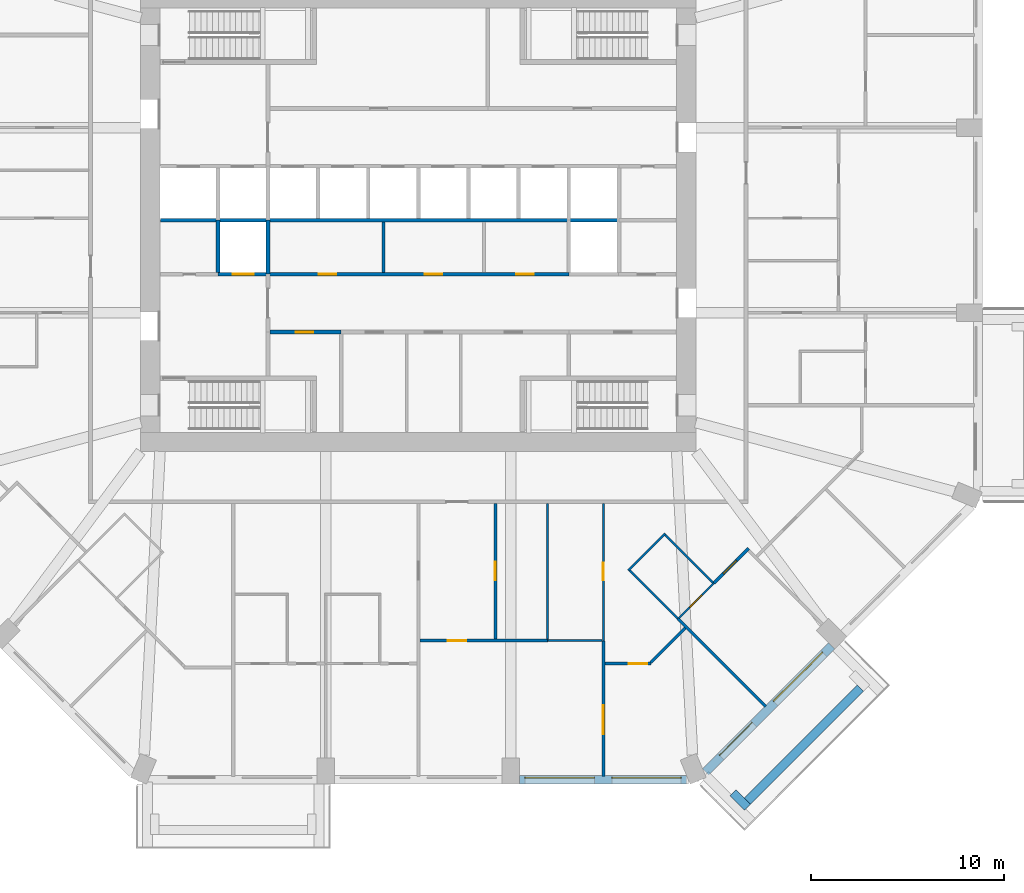
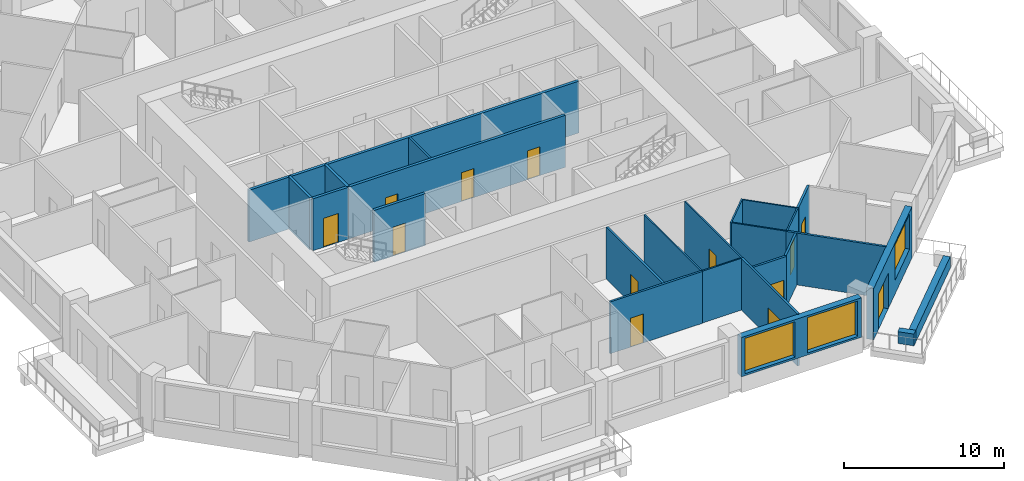
# One storey, part 5 of 13: 25 walls, 13 doors, 3 windows, 16 openings.
"""IFC4 building model written with IfcOpenShell, lengths in metres."""

from ifc_helpers import new_model, si_unit, direction, frame, frame_2d, origin, place, context, subcontext, project, spatial, rectangle, extrude, material, layer, layer_set, type_object, element, fill, save


model = new_model("IFC4")

# Units and contexts
model_context = context("Model", 3, precision=1e-05, world=origin(), true_north=direction((0.0, 1.0)))
body_context = subcontext(model_context, "Body", "Model", "MODEL_VIEW")
ifc_project = project(units=[si_unit("LENGTHUNIT", "METRE"), si_unit("AREAUNIT", "SQUARE_METRE"), si_unit("VOLUMEUNIT", "CUBIC_METRE"), si_unit("PLANEANGLEUNIT", "RADIAN"), si_unit("MASSUNIT", "GRAM", prefix="KILO")], contexts=[model_context])

# Site, building, storey
site_placement = place(None, origin())
site = spatial("IfcSite", under=ifc_project, at=site_placement, CompositionType="ELEMENT")
building_placement = place(site_placement, origin())
building = spatial("IfcBuilding", under=site, at=building_placement, Name="Msitu Wima Residences", CompositionType="ELEMENT")
storey_placement = place(building_placement, frame((0.0, 0.0, 50.699951171875)))
storey = spatial("IfcBuildingStorey", under=building, at=storey_placement, Name="L11", CompositionType="ELEMENT", Elevation=50.699951171875)

# Walls
ifc_material_1 = material(Name="Facing brick")
ifc_layer_1 = layer(ifc_material_1, 0.06494140625, Name="Facing brick")
ifc_material_2 = material(Name="Concrete C40/50", Category="concrete")
ifc_layer_2 = layer(ifc_material_2, 0.156005859375, Name="Concrete C40/50")
ifc_material_3 = material(Name="Waterproofing membrane")
ifc_layer_3 = layer(ifc_material_3, 0.00390625, Name="Waterproofing membrane")
ifc_material_4 = material(Name="Planting soil and planting")
ifc_layer_4 = layer(ifc_material_4, 0.22509765625, Name="Planting soil and planting")
ifc_layer_set_1 = layer_set([ifc_layer_1, ifc_layer_2, ifc_layer_3, ifc_layer_4], Name="Concrete C40/50")
wall_type_1 = type_object("IfcWallType", Name="Balcony planter PLANTER PL450", PredefinedType="USERDEFINED", material=ifc_layer_set_1)
wall_1_placement = place(storey_placement, frame((17.0693359375, -30.125732421875, 0.0), z_axis=(0.0, 0.0, 1.0), x_axis=(0.707106781187, 0.707106781187, 0.0)))
element("IfcWall", 1, at=wall_1_placement, inside=storey, type_object=wall_type_1, Name="Balcony planter SE0 L11", ObjectType="PLANTER", PredefinedType="USERDEFINED", context=body_context, shape_type="SweptSolid", body=[
    extrude(rectangle(XDim=8.2822265625, YDim=0.449951171875, at=frame_2d((4.14111328125, 0.0))), origin(), (0.0, 0.0, 1.0), 0.900146484375),
])
wall_2_placement = place(storey_placement, frame((16.326904296875, -29.70166015625, 0.0), z_axis=(0.0, 0.0, 1.0), x_axis=(0.707106781187, -0.707106781187, 0.0)))
element("IfcWall", 2, at=wall_2_placement, inside=storey, type_object=wall_type_1, Name="Balcony planter SE0 L11", ObjectType="PLANTER", PredefinedType="USERDEFINED", context=body_context, shape_type="SweptSolid", body=[
    extrude(rectangle(XDim=1.050048828125, YDim=0.449951171875, at=frame_2d((0.52490234375, 0.0))), origin(), (0.0, 0.0, 1.0), 0.900146484375),
])

# Wall, openings, windows
ifc_material_5 = material(Name="Brick (red buff mix)", Category="masonry")
ifc_layer_5 = layer(ifc_material_5, 0.449951171875)
ifc_layer_set_2 = layer_set([ifc_layer_5], Name="Brick (red buff mix)")
wall_type_2 = type_object("IfcWallType", Name="Brick infill wall BW450", PredefinedType="SOLIDWALL", material=ifc_layer_set_2)
wall_3_placement = place(storey_placement, frame((5.25, -29.02490234375, 0.900146484375), z_axis=(0.0, 0.0, 1.0), x_axis=(1.0, 0.0, 0.0)))
wall_3 = element("IfcWall", 3, at=wall_3_placement, inside=storey, type_object=wall_type_2, Name="Brick infill wall L11 S2", PredefinedType="SOLIDWALL", context=body_context, shape_type="SweptSolid", body=[
    extrude(rectangle(XDim=8.662841796875, YDim=0.449951171875, at=frame_2d((4.33154296875, 0.0))), origin(), (0.0, 0.0, 1.0), 3.0),
])
opening_1_placement = place(wall_3_placement, frame((0.281494140625, 0.0, 0.14990234375)))
opening_1 = element("IfcOpeningElement", 4, at=opening_1_placement, cuts=wall_3, Name="Opening W11-12.020", PredefinedType="OPENING", context=body_context, shape_type="SweptSolid", body=[
    extrude(rectangle(XDim=3.60009765625, YDim=2.699951171875, at=frame_2d((1.800048828125, 1.35009765625))), frame((0.0, 0.23486328125, 0.0), z_axis=(0.0, -1.0, 0.0), x_axis=(1.0, 0.0, 0.0)), (0.0, 0.0, 1.0), 0.469970703125),
])
opening_2_placement = place(wall_3_placement, frame((4.781494140625, 0.0, 0.14990234375)))
opening_2 = element("IfcOpeningElement", 5, at=opening_2_placement, cuts=wall_3, Name="Opening W11-12.021", PredefinedType="OPENING", context=body_context, shape_type="SweptSolid", body=[
    extrude(rectangle(XDim=3.60009765625, YDim=2.699951171875, at=frame_2d((1.800048828125, 1.35009765625))), frame((0.0, 0.23486328125, 0.0), z_axis=(0.0, -1.0, 0.0), x_axis=(1.0, 0.0, 0.0)), (0.0, 0.0, 1.0), 0.469970703125),
])
ifc_material_6 = material(Name="Anodised aluminium, bronze finish, clear low-emissivity double glazing", Category="aluminium")
window_type = type_object("IfcWindowType", Name="Window W3600x2700", PartitioningType="DOUBLE_PANEL_VERTICAL", PredefinedType="WINDOW", material=ifc_material_6)
window_1_placement = place(opening_1_placement, origin())
window_1 = element("IfcWindow", 6, at=window_1_placement, inside=storey, type_object=window_type, Name="Window L11 S2.1", OverallHeight=2.699951171875, OverallWidth=3.60009765625, PartitioningType="SINGLE_PANEL", PredefinedType="WINDOW", context=body_context, shape_type="SweptSolid", body=[
    extrude(rectangle(XDim=3.60009765625, YDim=2.699951171875, at=frame_2d((1.800048828125, 1.35009765625))), frame((0.0, 0.135009765625, 0.0), z_axis=(0.0, -1.0, 0.0), x_axis=(1.0, 0.0, 0.0)), (0.0, 0.0, 1.0), 0.06005859375),
])
fill(opening_1, window_1)
window_2_placement = place(opening_2_placement, origin())
window_2 = element("IfcWindow", 7, at=window_2_placement, inside=storey, type_object=window_type, Name="Window L11 S2.2", OverallHeight=2.699951171875, OverallWidth=3.60009765625, PartitioningType="SINGLE_PANEL", PredefinedType="WINDOW", context=body_context, shape_type="SweptSolid", body=[
    extrude(rectangle(XDim=3.60009765625, YDim=2.699951171875, at=frame_2d((1.800048828125, 1.35009765625))), frame((0.0, 0.135009765625, 0.0), z_axis=(0.0, -1.0, 0.0), x_axis=(1.0, 0.0, 0.0)), (0.0, 0.0, 1.0), 0.06005859375),
])
fill(opening_2, window_2)

# Wall, openings, door, window
wall_4_placement = place(storey_placement, frame((14.903564453125, -28.61474609375, 0.0), z_axis=(0.0, 0.0, 1.0), x_axis=(0.707106781187, 0.707106781187, 0.0)))
wall_4 = element("IfcWall", 8, at=wall_4_placement, inside=storey, type_object=wall_type_2, Name="Brick infill wall L11 SE0", PredefinedType="SOLIDWALL", context=body_context, shape_type="SweptSolid", body=[
    extrude(rectangle(XDim=9.2451171875, YDim=0.449951171875, at=frame_2d((4.62255859375, 0.0))), origin(), (0.0, 0.0, 1.0), 3.900146484375),
])
opening_3_placement = place(wall_4_placement, frame((1.111328125, 0.0, 0.0)))
opening_3 = element("IfcOpeningElement", 9, at=opening_3_placement, cuts=wall_4, Name="Opening D11-12.006", PredefinedType="OPENING", context=body_context, shape_type="SweptSolid", body=[
    extrude(rectangle(XDim=2.39990234375, YDim=2.699951171875, at=frame_2d((1.199951171875, 1.35009765625))), frame((0.0, 0.23486328125, 0.0), z_axis=(0.0, -1.0, 0.0), x_axis=(1.0, 0.0, 0.0)), (0.0, 0.0, 1.0), 0.469970703125),
])
opening_4_placement = place(wall_4_placement, frame((5.072509765625, 0.0, 1.050048828125)))
opening_4 = element("IfcOpeningElement", 10, at=opening_4_placement, cuts=wall_4, Name="Opening W11-12.022", PredefinedType="OPENING", context=body_context, shape_type="SweptSolid", body=[
    extrude(rectangle(XDim=3.60009765625, YDim=2.699951171875, at=frame_2d((1.800048828125, 1.35009765625))), frame((0.0, 0.23486328125, 0.0), z_axis=(0.0, -1.0, 0.0), x_axis=(1.0, 0.0, 0.0)), (0.0, 0.0, 1.0), 0.469970703125),
])
door_type_1 = type_object("IfcDoorType", Name="Balcony door D2400x2700", OperationType="SLIDING_TO_LEFT", PredefinedType="DOOR", material=ifc_material_6)
door_1_placement = place(opening_3_placement, origin())
door_1 = element("IfcDoor", 11, at=door_1_placement, inside=storey, type_object=door_type_1, Name="Balcony door L11 SE0", OperationType="SINGLE_SWING_LEFT", OverallHeight=2.699951171875, OverallWidth=2.39990234375, PredefinedType="DOOR", context=body_context, shape_type="SweptSolid", body=[
    extrude(rectangle(XDim=2.39990234375, YDim=2.699951171875, at=frame_2d((1.199951171875, 1.35009765625))), frame((0.0, 0.1298828125, 0.0), z_axis=(0.0, -1.0, 0.0), x_axis=(1.0, 0.0, 0.0)), (0.0, 0.0, 1.0), 0.050048828125),
])
fill(opening_3, door_1)
window_3_placement = place(opening_4_placement, origin())
window_3 = element("IfcWindow", 12, at=window_3_placement, inside=storey, type_object=window_type, Name="Window L11 SE0.2", OverallHeight=2.699951171875, OverallWidth=3.60009765625, PartitioningType="SINGLE_PANEL", PredefinedType="WINDOW", context=body_context, shape_type="SweptSolid", body=[
    extrude(rectangle(XDim=3.60009765625, YDim=2.699951171875, at=frame_2d((1.800048828125, 1.35009765625))), frame((0.0, 0.135009765625, 0.0), z_axis=(0.0, -1.0, 0.0), x_axis=(1.0, 0.0, 0.0)), (0.0, 0.0, 1.0), 0.06005859375),
])
fill(opening_4, window_3)

# Wall, openings, doors
ifc_material_7 = material(Name="Plaster")
ifc_layer_6 = layer(ifc_material_7, 0.011962890625, Name="Plaster")
ifc_material_8 = material(Name="Concrete blockwork", Category="masonry")
ifc_layer_7 = layer(ifc_material_8, 0.176025390625, Name="Concrete blockwork")
ifc_layer_8 = layer(ifc_material_7, 0.011962890625, Name="Plaster")
ifc_layer_set_3 = layer_set([ifc_layer_6, ifc_layer_7, ifc_layer_8], Name="Concrete blockwork")
wall_type_3 = type_object("IfcWallType", Name="Corridor wall FW200", PredefinedType="PARTITIONING", material=ifc_layer_set_3)
wall_5_placement = place(storey_placement, frame((-7.820068359375, -2.800048828125, 0.0), z_axis=(0.0, 0.0, 1.0), x_axis=(1.0, 0.0, 0.0)))
wall_5 = element("IfcWall", 13, at=wall_5_placement, inside=storey, type_object=wall_type_3, Name="Corridor wall", PredefinedType="PARTITIONING", context=body_context, shape_type="SweptSolid", body=[
    extrude(rectangle(XDim=15.64013671875, YDim=0.199951171875, at=frame_2d((7.820068359375, 0.0))), origin(), (0.0, 0.0, 1.0), 3.949951171875),
])
opening_5_placement = place(wall_5_placement, frame((2.64990234375, 0.0, 0.0)))
opening_5 = element("IfcOpeningElement", 14, at=opening_5_placement, cuts=wall_5, Name="Opening D11-12.028", PredefinedType="OPENING", context=body_context, shape_type="SweptSolid", body=[
    extrude(rectangle(XDim=0.89990234375, YDim=2.199951171875, at=frame_2d((0.449951171875, 1.10009765625))), frame((0.0, 0.10986328125, 0.0), z_axis=(0.0, -1.0, 0.0), x_axis=(1.0, 0.0, 0.0)), (0.0, 0.0, 1.0), 0.219970703125),
])
opening_6_placement = place(wall_5_placement, frame((8.14990234375, 0.0, 0.0)))
opening_6 = element("IfcOpeningElement", 15, at=opening_6_placement, cuts=wall_5, Name="Opening D11-12.029", PredefinedType="OPENING", context=body_context, shape_type="SweptSolid", body=[
    extrude(rectangle(XDim=0.89990234375, YDim=2.199951171875, at=frame_2d((0.449951171875, 1.10009765625))), frame((0.0, 0.10986328125, 0.0), z_axis=(0.0, -1.0, 0.0), x_axis=(1.0, 0.0, 0.0)), (0.0, 0.0, 1.0), 0.219970703125),
])
opening_7_placement = place(wall_5_placement, frame((12.89990234375, 0.0, 0.0)))
opening_7 = element("IfcOpeningElement", 16, at=opening_7_placement, cuts=wall_5, Name="Opening D11-12.030", PredefinedType="OPENING", context=body_context, shape_type="SweptSolid", body=[
    extrude(rectangle(XDim=0.89990234375, YDim=2.199951171875, at=frame_2d((0.449951171875, 1.10009765625))), frame((0.0, 0.10986328125, 0.0), z_axis=(0.0, -1.0, 0.0), x_axis=(1.0, 0.0, 0.0)), (0.0, 0.0, 1.0), 0.219970703125),
])
ifc_material_9 = material(Name="Timber flush door", Category="wood")
door_type_2 = type_object("IfcDoorType", Name="Service door D05 900x2200", OperationType="SINGLE_SWING_LEFT", PredefinedType="DOOR", material=ifc_material_9)
door_2_placement = place(opening_5_placement, origin())
door_2 = element("IfcDoor", 17, at=door_2_placement, inside=storey, type_object=door_type_2, Name="Service door", OperationType="SINGLE_SWING_RIGHT", OverallHeight=2.199951171875, OverallWidth=0.89990234375, PredefinedType="DOOR", context=body_context, shape_type="SweptSolid", body=[
    extrude(rectangle(XDim=0.89990234375, YDim=2.199951171875, at=frame_2d((0.449951171875, 1.10009765625))), frame((0.0, 0.02490234375, 0.0), z_axis=(0.0, -1.0, 0.0), x_axis=(1.0, 0.0, 0.0)), (0.0, 0.0, 1.0), 0.050048828125),
])
fill(opening_5, door_2)
door_3_placement = place(opening_6_placement, origin())
door_3 = element("IfcDoor", 18, at=door_3_placement, inside=storey, type_object=door_type_2, Name="Service door", OperationType="SINGLE_SWING_LEFT", OverallHeight=2.199951171875, OverallWidth=0.89990234375, PredefinedType="DOOR", context=body_context, shape_type="SweptSolid", body=[
    extrude(rectangle(XDim=0.89990234375, YDim=2.199951171875, at=frame_2d((0.449951171875, 1.10009765625))), frame((0.0, 0.02490234375, 0.0), z_axis=(0.0, -1.0, 0.0), x_axis=(1.0, 0.0, 0.0)), (0.0, 0.0, 1.0), 0.050048828125),
])
fill(opening_6, door_3)
door_4_placement = place(opening_7_placement, origin())
door_4 = element("IfcDoor", 19, at=door_4_placement, inside=storey, type_object=door_type_2, Name="Service door", OperationType="SINGLE_SWING_LEFT", OverallHeight=2.199951171875, OverallWidth=0.89990234375, PredefinedType="DOOR", context=body_context, shape_type="SweptSolid", body=[
    extrude(rectangle(XDim=0.89990234375, YDim=2.199951171875, at=frame_2d((0.449951171875, 1.10009765625))), frame((0.0, 0.02490234375, 0.0), z_axis=(0.0, -1.0, 0.0), x_axis=(1.0, 0.0, 0.0)), (0.0, 0.0, 1.0), 0.050048828125),
])
fill(opening_7, door_4)

# Wall
ifc_layer_9 = layer(ifc_material_7, 0.011962890625, Name="Plaster")
ifc_layer_10 = layer(ifc_material_8, 0.1259765625, Name="Concrete blockwork")
ifc_layer_11 = layer(ifc_material_7, 0.011962890625, Name="Plaster")
ifc_layer_set_4 = layer_set([ifc_layer_9, ifc_layer_10, ifc_layer_11], Name="Concrete blockwork")
wall_type_4 = type_object("IfcWallType", Name="Partition PW150", PredefinedType="PARTITIONING", material=ifc_layer_set_4)
wall_6_placement = place(storey_placement, frame((-1.800048828125, -2.699951171875, 0.0), z_axis=(0.0, 0.0, 1.0), x_axis=(0.0, 1.0, 0.0)))
element("IfcWall", 20, at=wall_6_placement, inside=storey, type_object=wall_type_4, Name="Partition", PredefinedType="PARTITIONING", context=body_context, shape_type="SweptSolid", body=[
    extrude(rectangle(XDim=2.599853515625, YDim=0.14990234375, at=frame_2d((1.2998046875, 0.0))), origin(), (0.0, 0.0, 1.0), 3.949951171875),
])

# Wall, opening, door
wall_7_placement = place(storey_placement, frame((0.074951171875, -21.800048828125, 0.0), z_axis=(0.0, 0.0, 1.0), x_axis=(1.0, 0.0, 0.0)))
wall_7 = element("IfcWall", 21, at=wall_7_placement, inside=storey, type_object=wall_type_4, Name="Partition", PredefinedType="PARTITIONING", context=body_context, shape_type="SweptSolid", body=[
    extrude(rectangle(XDim=6.64501953125, YDim=0.14990234375, at=frame_2d((3.322509765625, 0.0))), origin(), (0.0, 0.0, 1.0), 3.949951171875),
])
opening_8_placement = place(wall_7_placement, frame((1.449951171875, 0.0, 0.0)))
opening_8 = element("IfcOpeningElement", 22, at=opening_8_placement, cuts=wall_7, Name="Opening D11-12.073", PredefinedType="OPENING", context=body_context, shape_type="SweptSolid", body=[
    extrude(rectangle(XDim=0.949951171875, YDim=2.199951171875, at=frame_2d((0.47509765625, 1.10009765625))), frame((0.0, 0.0849609375, 0.0), z_axis=(0.0, -1.0, 0.0), x_axis=(1.0, 0.0, 0.0)), (0.0, 0.0, 1.0), 0.169921875),
])
door_type_3 = type_object("IfcDoorType", Name="Room door D12 950x2200", OperationType="SINGLE_SWING_LEFT", PredefinedType="DOOR", material=ifc_material_9)
door_5_placement = place(opening_8_placement, origin())
door_5 = element("IfcDoor", 23, at=door_5_placement, inside=storey, type_object=door_type_3, Name="Room door", OperationType="SINGLE_SWING_RIGHT", OverallHeight=2.199951171875, OverallWidth=0.949951171875, PredefinedType="DOOR", context=body_context, shape_type="SweptSolid", body=[
    extrude(rectangle(XDim=0.949951171875, YDim=2.199951171875, at=frame_2d((0.47509765625, 1.10009765625))), frame((0.0, 0.02490234375, 0.0), z_axis=(0.0, -1.0, 0.0), x_axis=(1.0, 0.0, 0.0)), (0.0, 0.0, 1.0), 0.050048828125),
])
fill(opening_8, door_5)

wall_8_placement = place(storey_placement, frame((4.0, -21.72509765625, 0.0), z_axis=(0.0, 0.0, 1.0), x_axis=(0.0, 1.0, 0.0)))
wall_8 = element("IfcWall", 24, at=wall_8_placement, inside=storey, type_object=wall_type_4, Name="Partition", PredefinedType="PARTITIONING", context=body_context, shape_type="SweptSolid", body=[
    extrude(rectangle(XDim=7.025146484375, YDim=0.14990234375, at=frame_2d((3.5126953125, 0.0))), origin(), (0.0, 0.0, 1.0), 3.949951171875),
])
opening_9_placement = place(wall_8_placement, frame((3.050048828125, 0.0, 0.0)))
opening_9 = element("IfcOpeningElement", 25, at=opening_9_placement, cuts=wall_8, Name="Opening D11-12.078", PredefinedType="OPENING", context=body_context, shape_type="SweptSolid", body=[
    extrude(rectangle(XDim=0.949951171875, YDim=2.199951171875, at=frame_2d((0.47509765625, 1.10009765625))), frame((0.0, 0.0849609375, 0.0), z_axis=(0.0, -1.0, 0.0), x_axis=(1.0, 0.0, 0.0)), (0.0, 0.0, 1.0), 0.169921875),
])
door_6_placement = place(opening_9_placement, origin())
door_6 = element("IfcDoor", 26, at=door_6_placement, inside=storey, type_object=door_type_3, Name="Room door", OperationType="SINGLE_SWING_LEFT", OverallHeight=2.199951171875, OverallWidth=0.949951171875, PredefinedType="DOOR", context=body_context, shape_type="SweptSolid", body=[
    extrude(rectangle(XDim=0.949951171875, YDim=2.199951171875, at=frame_2d((0.47509765625, 1.10009765625))), frame((0.0, 0.02490234375, 0.0), z_axis=(0.0, -1.0, 0.0), x_axis=(1.0, 0.0, 0.0)), (0.0, 0.0, 1.0), 0.050048828125),
])
fill(opening_9, door_6)

wall_9_placement = place(storey_placement, frame((9.60009765625, -28.85498046875, 0.0), z_axis=(0.0, 0.0, 1.0), x_axis=(0.0, 1.0, 0.0)))
wall_9 = element("IfcWall", 27, at=wall_9_placement, inside=storey, type_object=wall_type_4, Name="Partition", PredefinedType="PARTITIONING", context=body_context, shape_type="SweptSolid", body=[
    extrude(rectangle(XDim=7.034912109375, YDim=0.14990234375, at=frame_2d((3.517578125, 0.0))), origin(), (0.0, 0.0, 1.0), 3.949951171875),
])
opening_10_placement = place(wall_9_placement, frame((2.199951171875, 0.0, 0.0)))
opening_10 = element("IfcOpeningElement", 28, at=opening_10_placement, cuts=wall_9, Name="Opening D11-12.079", PredefinedType="OPENING", context=body_context, shape_type="SweptSolid", body=[
    extrude(rectangle(XDim=1.5, YDim=2.199951171875, at=frame_2d((0.75, 1.10009765625))), frame((0.0, 0.0849609375, 0.0), z_axis=(0.0, -1.0, 0.0), x_axis=(1.0, 0.0, 0.0)), (0.0, 0.0, 1.0), 0.169921875),
])
ifc_material_10 = material(Name="Timber double door", Category="wood")
door_type_4 = type_object("IfcDoorType", Name="Double door D04 1500x2200", OperationType="DOUBLE_DOOR_SINGLE_SWING", PredefinedType="DOOR", material=ifc_material_10)
door_7_placement = place(opening_10_placement, origin())
door_7 = element("IfcDoor", 29, at=door_7_placement, inside=storey, type_object=door_type_4, Name="Double door", OperationType="DOUBLE_DOOR_SINGLE_SWING", OverallHeight=2.199951171875, OverallWidth=1.5, PredefinedType="DOOR", context=body_context, shape_type="SweptSolid", body=[
    extrude(rectangle(XDim=1.5, YDim=2.199951171875, at=frame_2d((0.75, 1.10009765625))), frame((0.0, 0.02490234375, 0.0), z_axis=(0.0, -1.0, 0.0), x_axis=(1.0, 0.0, 0.0)), (0.0, 0.0, 1.0), 0.050048828125),
])
fill(opening_10, door_7)

wall_10_placement = place(storey_placement, frame((9.675048828125, -23.0, 0.0), z_axis=(0.0, 0.0, 1.0), x_axis=(1.0, 0.0, 0.0)))
wall_10 = element("IfcWall", 30, at=wall_10_placement, inside=storey, type_object=wall_type_4, Name="Partition", PredefinedType="PARTITIONING", context=body_context, shape_type="SweptSolid", body=[
    extrude(rectangle(XDim=2.3974609375, YDim=0.14990234375, at=frame_2d((1.19873046875, 0.0))), origin(), (0.0, 0.0, 1.0), 3.949951171875),
])
opening_11_placement = place(wall_10_placement, frame((1.25, 0.0, 0.0)))
opening_11 = element("IfcOpeningElement", 31, at=opening_11_placement, cuts=wall_10, Name="Opening D11-12.080", PredefinedType="OPENING", context=body_context, shape_type="SweptSolid", body=[
    extrude(rectangle(XDim=0.949951171875, YDim=2.199951171875, at=frame_2d((0.47509765625, 1.10009765625))), frame((0.0, 0.0849609375, 0.0), z_axis=(0.0, -1.0, 0.0), x_axis=(1.0, 0.0, 0.0)), (0.0, 0.0, 1.0), 0.169921875),
])
door_8_placement = place(opening_11_placement, origin())
door_8 = element("IfcDoor", 32, at=door_8_placement, inside=storey, type_object=door_type_3, Name="Room door", OperationType="SINGLE_SWING_RIGHT", OverallHeight=2.199951171875, OverallWidth=0.949951171875, PredefinedType="DOOR", context=body_context, shape_type="SweptSolid", body=[
    extrude(rectangle(XDim=0.949951171875, YDim=2.199951171875, at=frame_2d((0.47509765625, 1.10009765625))), frame((0.0, 0.02490234375, 0.0), z_axis=(0.0, -1.0, 0.0), x_axis=(1.0, 0.0, 0.0)), (0.0, 0.0, 1.0), 0.050048828125),
])
fill(opening_11, door_8)

# Walls
wall_11_placement = place(storey_placement, frame((12.050537109375, -22.947021484375, 0.0), z_axis=(0.0, 0.0, 1.0), x_axis=(0.707106781187, 0.707106781187, 0.0)))
element("IfcWall", 33, at=wall_11_placement, inside=storey, type_object=wall_type_4, Name="Partition", PredefinedType="PARTITIONING", context=body_context, shape_type="SweptSolid", body=[
    extrude(rectangle(XDim=2.538818359375, YDim=0.14990234375, at=frame_2d((1.26953125, 0.0))), origin(), (0.0, 0.0, 1.0), 3.949951171875),
])
wall_12_placement = place(storey_placement, frame((13.46044921875, -20.660400390625, 0.0), z_axis=(0.0, 0.0, 1.0), x_axis=(0.707087840404, -0.707125721462, 0.0)))
element("IfcWall", 34, at=wall_12_placement, inside=storey, type_object=wall_type_4, Name="Partition", PredefinedType="PARTITIONING", context=body_context, shape_type="SweptSolid", body=[
    extrude(rectangle(XDim=6.44482421875, YDim=0.14990234375, at=frame_2d((3.222412109375, 0.0))), origin(), (0.0, 0.0, 1.0), 3.949951171875),
])

# Wall, opening, door
wall_13_placement = place(storey_placement, frame((15.3271484375, -18.82177734375, 0.0), z_axis=(0.0, 0.0, 1.0), x_axis=(0.707106781187, 0.707106781187, 0.0)))
wall_13 = element("IfcWall", 35, at=wall_13_placement, inside=storey, type_object=wall_type_4, Name="Partition", PredefinedType="PARTITIONING", context=body_context, shape_type="SweptSolid", body=[
    extrude(rectangle(XDim=2.5458984375, YDim=0.14990234375, at=frame_2d((1.27294921875, 0.0))), origin(), (0.0, 0.0, 1.0), 3.949951171875),
])
opening_12_placement = place(wall_13_placement, frame((0.699951171875, 0.0, 0.0)))
opening_12 = element("IfcOpeningElement", 36, at=opening_12_placement, cuts=wall_13, Name="Opening D11-12.083", PredefinedType="OPENING", context=body_context, shape_type="SweptSolid", body=[
    extrude(rectangle(XDim=0.949951171875, YDim=2.199951171875, at=frame_2d((0.47509765625, 1.10009765625))), frame((0.0, 0.0849609375, 0.0), z_axis=(0.0, -1.0, 0.0), x_axis=(1.0, 0.0, 0.0)), (0.0, 0.0, 1.0), 0.169921875),
])
door_9_placement = place(opening_12_placement, origin())
door_9 = element("IfcDoor", 37, at=door_9_placement, inside=storey, type_object=door_type_3, Name="Room door", OperationType="SINGLE_SWING_LEFT", OverallHeight=2.199951171875, OverallWidth=0.949951171875, PredefinedType="DOOR", context=body_context, shape_type="SweptSolid", body=[
    extrude(rectangle(XDim=0.949951171875, YDim=2.199951171875, at=frame_2d((0.47509765625, 1.10009765625))), frame((0.0, 0.02490234375, 0.0), z_axis=(0.0, -1.0, 0.0), x_axis=(1.0, 0.0, 0.0)), (0.0, 0.0, 1.0), 0.050048828125),
])
fill(opening_12, door_9)

ifc_layer_12 = layer(ifc_material_7, 0.011962890625, Name="Plaster")
ifc_material_11 = material(Name="Reinforced concrete blockwork", Category="masonry")
ifc_layer_13 = layer(ifc_material_11, 0.176025390625, Name="Reinforced concrete blockwork")
ifc_layer_14 = layer(ifc_material_7, 0.011962890625, Name="Plaster")
ifc_layer_set_5 = layer_set([ifc_layer_12, ifc_layer_13, ifc_layer_14], Name="Reinforced concrete blockwork")
wall_type_5 = type_object("IfcWallType", Name="Plant and riser wall PL200", PredefinedType="PARTITIONING", material=ifc_layer_set_5)
wall_14_placement = place(storey_placement, frame((-7.699951171875, -5.800048828125, 0.0), z_axis=(0.0, 0.0, 1.0), x_axis=(1.0, 0.0, 0.0)))
wall_14 = element("IfcWall", 38, at=wall_14_placement, inside=storey, type_object=wall_type_5, Name="Plant and riser wall", PredefinedType="PARTITIONING", context=body_context, shape_type="SweptSolid", body=[
    extrude(rectangle(XDim=3.679931640625, YDim=0.199951171875, at=frame_2d((1.83984375, 0.0))), origin(), (0.0, 0.0, 1.0), 3.949951171875),
])
opening_13_placement = place(wall_14_placement, frame((1.35009765625, 0.0, 0.0)))
opening_13 = element("IfcOpeningElement", 39, at=opening_13_placement, cuts=wall_14, Name="Opening D11-12.019", PredefinedType="OPENING", context=body_context, shape_type="SweptSolid", body=[
    extrude(rectangle(XDim=0.89990234375, YDim=2.199951171875, at=frame_2d((0.449951171875, 1.10009765625))), frame((0.0, 0.10986328125, 0.0), z_axis=(0.0, -1.0, 0.0), x_axis=(1.0, 0.0, 0.0)), (0.0, 0.0, 1.0), 0.219970703125),
])
door_10_placement = place(opening_13_placement, origin())
door_10 = element("IfcDoor", 40, at=door_10_placement, inside=storey, type_object=door_type_2, Name="Service door", OperationType="SINGLE_SWING_RIGHT", OverallHeight=2.199951171875, OverallWidth=0.89990234375, PredefinedType="DOOR", context=body_context, shape_type="SweptSolid", body=[
    extrude(rectangle(XDim=0.89990234375, YDim=2.199951171875, at=frame_2d((0.449951171875, 1.10009765625))), frame((0.0, 0.02490234375, 0.0), z_axis=(0.0, -1.0, 0.0), x_axis=(1.0, 0.0, 0.0)), (0.0, 0.0, 1.0), 0.050048828125),
])
fill(opening_13, door_10)

# Walls
ifc_material_12 = material(Name="Fire-rated board")
ifc_layer_15 = layer(ifc_material_12, 0.02490234375, Name="Fire-rated board")
ifc_material_13 = material(Name="Light-gauge stud framing with mineral wool")
ifc_layer_16 = layer(ifc_material_13, 0.14990234375, Name="Light-gauge stud framing with mineral wool")
ifc_layer_17 = layer(ifc_material_12, 0.02490234375, Name="Fire-rated board")
ifc_layer_set_6 = layer_set([ifc_layer_15, ifc_layer_16, ifc_layer_17], Name="Light-gauge stud framing with mineral wool")
wall_type_6 = type_object("IfcWallType", Name="Shaft wall SH200", PredefinedType="PARTITIONING", material=ifc_layer_set_6)
wall_15_placement = place(storey_placement, frame((-13.3701171875, 0.0, 0.0), z_axis=(0.0, 0.0, 1.0), x_axis=(1.0, 0.0, 0.0)))
element("IfcWall", 41, at=wall_15_placement, inside=storey, type_object=wall_type_6, Name="Shaft wall", PredefinedType="PARTITIONING", context=body_context, shape_type="SweptSolid", body=[
    extrude(rectangle(XDim=23.77001953125, YDim=0.199951171875, at=frame_2d((11.885009765625, 0.0))), origin(), (0.0, 0.0, 1.0), 3.949951171875),
])
wall_16_placement = place(storey_placement, frame((-10.39990234375, -2.699951171875, 0.0), z_axis=(0.0, 0.0, 1.0), x_axis=(0.0, 1.0, 0.0)))
element("IfcWall", 42, at=wall_16_placement, inside=storey, type_object=wall_type_6, Name="Shaft wall", PredefinedType="PARTITIONING", context=body_context, shape_type="SweptSolid", body=[
    extrude(rectangle(XDim=2.699951171875, YDim=0.199951171875, at=frame_2d((1.35009765625, 0.0))), origin(), (0.0, 0.0, 1.0), 3.949951171875),
])

# Wall, opening, door
wall_17_placement = place(storey_placement, frame((-10.3798828125, -2.800048828125, 0.0), z_axis=(0.0, 0.0, 1.0), x_axis=(1.0, 0.0, 0.0)))
wall_17 = element("IfcWall", 43, at=wall_17_placement, inside=storey, type_object=wall_type_6, Name="Shaft wall", PredefinedType="PARTITIONING", context=body_context, shape_type="SweptSolid", body=[
    extrude(rectangle(XDim=2.559814453125, YDim=0.199951171875, at=frame_2d((1.27978515625, 0.0))), origin(), (0.0, 0.0, 1.0), 3.949951171875),
])
opening_14_placement = place(wall_17_placement, frame((0.75, 0.0, 0.0)))
opening_14 = element("IfcOpeningElement", 44, at=opening_14_placement, cuts=wall_17, Name="Opening LD", PredefinedType="OPENING", context=body_context, shape_type="SweptSolid", body=[
    extrude(rectangle(XDim=1.10009765625, YDim=2.199951171875, at=frame_2d((0.550048828125, 1.10009765625))), frame((0.0, 0.10986328125, 0.0), z_axis=(0.0, -1.0, 0.0), x_axis=(1.0, 0.0, 0.0)), (0.0, 0.0, 1.0), 0.219970703125),
])
ifc_material_14 = material(Name="Stainless steel centre-opening landing door, rated", Category="steel")
door_type_5 = type_object("IfcDoorType", Name="Lift landing door LD 1100x2200", OperationType="DOUBLE_DOOR_SLIDING", PredefinedType="DOOR", material=ifc_material_14)
door_11_placement = place(opening_14_placement, origin())
door_11 = element("IfcDoor", 45, at=door_11_placement, inside=storey, type_object=door_type_5, Name="Lift landing door LD3", OperationType="DOUBLE_DOOR_SLIDING", OverallHeight=2.199951171875, OverallWidth=1.10009765625, PredefinedType="DOOR", context=body_context, shape_type="SweptSolid", body=[
    extrude(rectangle(XDim=1.10009765625, YDim=2.199951171875, at=frame_2d((0.550048828125, 1.10009765625))), frame((0.0, 0.02490234375, 0.0), z_axis=(0.0, -1.0, 0.0), x_axis=(1.0, 0.0, 0.0)), (0.0, 0.0, 1.0), 0.050048828125),
])
fill(opening_14, door_11)

# Walls
wall_18_placement = place(storey_placement, frame((-7.800048828125, -2.800048828125, 0.0), z_axis=(0.0, 0.0, 1.0), x_axis=(0.0, 1.0, 0.0)))
element("IfcWall", 46, at=wall_18_placement, inside=storey, type_object=wall_type_6, Name="Shaft wall", PredefinedType="PARTITIONING", context=body_context, shape_type="SweptSolid", body=[
    extrude(rectangle(XDim=2.800048828125, YDim=0.199951171875, at=frame_2d((1.39990234375, 0.0))), origin(), (0.0, 0.0, 1.0), 3.949951171875),
])
ifc_material_15 = material(Name="Ceramic tiles")
ifc_layer_18 = layer(ifc_material_15, 0.008056640625, Name="Ceramic tiles")
ifc_material_16 = material(Name="Moisture-resistant board")
ifc_layer_19 = layer(ifc_material_16, 0.012451171875, Name="Moisture-resistant board")
ifc_layer_20 = layer(ifc_material_13, 0.06689453125, Name="Light-gauge stud framing with mineral wool")
ifc_layer_21 = layer(ifc_material_16, 0.012451171875, Name="Moisture-resistant board")
ifc_layer_set_7 = layer_set([ifc_layer_18, ifc_layer_19, ifc_layer_20, ifc_layer_21], Name="Light-gauge stud framing with mineral wool")
wall_type_7 = type_object("IfcWallType", Name="Wet wall PW100", PredefinedType="PARTITIONING", material=ifc_layer_set_7)
wall_19_placement = place(storey_placement, frame((6.719970703125, -21.800048828125, 0.0), z_axis=(0.0, 0.0, 1.0), x_axis=(1.0, 0.0, 0.0)))
element("IfcWall", 47, at=wall_19_placement, inside=storey, type_object=wall_type_7, Name="Wet wall", PredefinedType="PARTITIONING", context=body_context, shape_type="SweptSolid", body=[
    extrude(rectangle(XDim=2.804931640625, YDim=0.10009765625, at=frame_2d((1.40234375, 0.0))), origin(), (0.0, 0.0, 1.0), 3.949951171875),
])
wall_20_placement = place(storey_placement, frame((6.699951171875, -21.72509765625, 0.0), z_axis=(0.0, 0.0, 1.0), x_axis=(0.0, 1.0, 0.0)))
element("IfcWall", 48, at=wall_20_placement, inside=storey, type_object=wall_type_7, Name="Wet wall", PredefinedType="PARTITIONING", context=body_context, shape_type="SweptSolid", body=[
    extrude(rectangle(XDim=7.025146484375, YDim=0.10009765625, at=frame_2d((3.5126953125, 0.0))), origin(), (0.0, 0.0, 1.0), 3.949951171875),
])

# Wall, opening, door
wall_21_placement = place(storey_placement, frame((9.60009765625, -21.820068359375, 0.0), z_axis=(0.0, 0.0, 1.0), x_axis=(0.0, 1.0, 0.0)))
wall_21 = element("IfcWall", 49, at=wall_21_placement, inside=storey, type_object=wall_type_7, Name="Wet wall", PredefinedType="PARTITIONING", context=body_context, shape_type="SweptSolid", body=[
    extrude(rectangle(XDim=7.1201171875, YDim=0.10009765625, at=frame_2d((3.56005859375, 0.0))), origin(), (0.0, 0.0, 1.0), 3.949951171875),
])
opening_15_placement = place(wall_21_placement, frame((3.14990234375, 0.0, 0.0)))
opening_15 = element("IfcOpeningElement", 50, at=opening_15_placement, cuts=wall_21, Name="Opening D11-12.085", PredefinedType="OPENING", context=body_context, shape_type="SweptSolid", body=[
    extrude(rectangle(XDim=0.89990234375, YDim=2.199951171875, at=frame_2d((0.449951171875, 1.10009765625))), frame((0.0, 0.06005859375, 0.0), z_axis=(0.0, -1.0, 0.0), x_axis=(1.0, 0.0, 0.0)), (0.0, 0.0, 1.0), 0.1201171875),
])
ifc_material_17 = material(Name="Timber flush door, moisture resistant", Category="wood")
door_type_6 = type_object("IfcDoorType", Name="Bathroom door D03 900x2200", OperationType="SINGLE_SWING_LEFT", PredefinedType="DOOR", material=ifc_material_17)
door_12_placement = place(opening_15_placement, origin())
door_12 = element("IfcDoor", 51, at=door_12_placement, inside=storey, type_object=door_type_6, Name="Bathroom door", OperationType="SINGLE_SWING_RIGHT", OverallHeight=2.199951171875, OverallWidth=0.89990234375, PredefinedType="DOOR", context=body_context, shape_type="SweptSolid", body=[
    extrude(rectangle(XDim=0.89990234375, YDim=2.199951171875, at=frame_2d((0.449951171875, 1.10009765625))), frame((0.0, 0.02490234375, 0.0), z_axis=(0.0, -1.0, 0.0), x_axis=(1.0, 0.0, 0.0)), (0.0, 0.0, 1.0), 0.050048828125),
])
fill(opening_15, door_12)

# Walls
wall_22_placement = place(storey_placement, frame((10.8935546875, -18.164306640625, 0.0), z_axis=(0.0, 0.0, 1.0), x_axis=(0.707106781187, 0.707106781187, 0.0)))
element("IfcWall", 52, at=wall_22_placement, inside=storey, type_object=wall_type_7, Name="Wet wall", PredefinedType="PARTITIONING", context=body_context, shape_type="SweptSolid", body=[
    extrude(rectangle(XDim=2.699951171875, YDim=0.10009765625, at=frame_2d((1.35009765625, 0.0))), origin(), (0.0, 0.0, 1.0), 3.949951171875),
])
wall_23_placement = place(storey_placement, frame((10.96435546875, -18.164306640625, 0.0), z_axis=(0.0, 0.0, 1.0), x_axis=(0.707106781187, -0.707106781187, 0.0)))
element("IfcWall", 53, at=wall_23_placement, inside=storey, type_object=wall_type_7, Name="Wet wall", PredefinedType="PARTITIONING", context=body_context, shape_type="SweptSolid", body=[
    extrude(rectangle(XDim=3.530029296875, YDim=0.10009765625, at=frame_2d((1.76513671875, 0.0))), origin(), (0.0, 0.0, 1.0), 3.949951171875),
])
wall_24_placement = place(storey_placement, frame((12.802734375, -16.325927734375, 0.0), z_axis=(0.0, 0.0, 1.0), x_axis=(0.707106781187, -0.707106781187, 0.0)))
element("IfcWall", 54, at=wall_24_placement, inside=storey, type_object=wall_type_7, Name="Wet wall", PredefinedType="PARTITIONING", context=body_context, shape_type="SweptSolid", body=[
    extrude(rectangle(XDim=3.5, YDim=0.10009765625, at=frame_2d((1.75, 0.0))), origin(), (0.0, 0.0, 1.0), 3.949951171875),
])

# Wall, opening, door
wall_25_placement = place(storey_placement, frame((13.509765625, -20.63916015625, 0.0), z_axis=(0.0, 0.0, 1.0), x_axis=(0.707106781187, 0.707106781187, 0.0)))
wall_25 = element("IfcWall", 55, at=wall_25_placement, inside=storey, type_object=wall_type_7, Name="Wet wall", PredefinedType="PARTITIONING", context=body_context, shape_type="SweptSolid", body=[
    extrude(rectangle(XDim=2.570068359375, YDim=0.10009765625, at=frame_2d((1.28515625, 0.0))), origin(), (0.0, 0.0, 1.0), 3.949951171875),
])
opening_16_placement = place(wall_25_placement, frame((0.800048828125, 0.0, 0.0)))
opening_16 = element("IfcOpeningElement", 56, at=opening_16_placement, cuts=wall_25, Name="Opening D11-12.084", PredefinedType="OPENING", context=body_context, shape_type="SweptSolid", body=[
    extrude(rectangle(XDim=0.89990234375, YDim=2.199951171875, at=frame_2d((0.449951171875, 1.10009765625))), frame((0.0, 0.06005859375, 0.0), z_axis=(0.0, -1.0, 0.0), x_axis=(1.0, 0.0, 0.0)), (0.0, 0.0, 1.0), 0.1201171875),
])
door_13_placement = place(opening_16_placement, origin())
door_13 = element("IfcDoor", 57, at=door_13_placement, inside=storey, type_object=door_type_6, Name="Bathroom door", OperationType="SINGLE_SWING_LEFT", OverallHeight=2.199951171875, OverallWidth=0.89990234375, PredefinedType="DOOR", context=body_context, shape_type="SweptSolid", body=[
    extrude(rectangle(XDim=0.89990234375, YDim=2.199951171875, at=frame_2d((0.449951171875, 1.10009765625))), frame((0.0, 0.02490234375, 0.0), z_axis=(0.0, -1.0, 0.0), x_axis=(1.0, 0.0, 0.0)), (0.0, 0.0, 1.0), 0.050048828125),
])
fill(opening_16, door_13)

save(model, "model.ifc")
